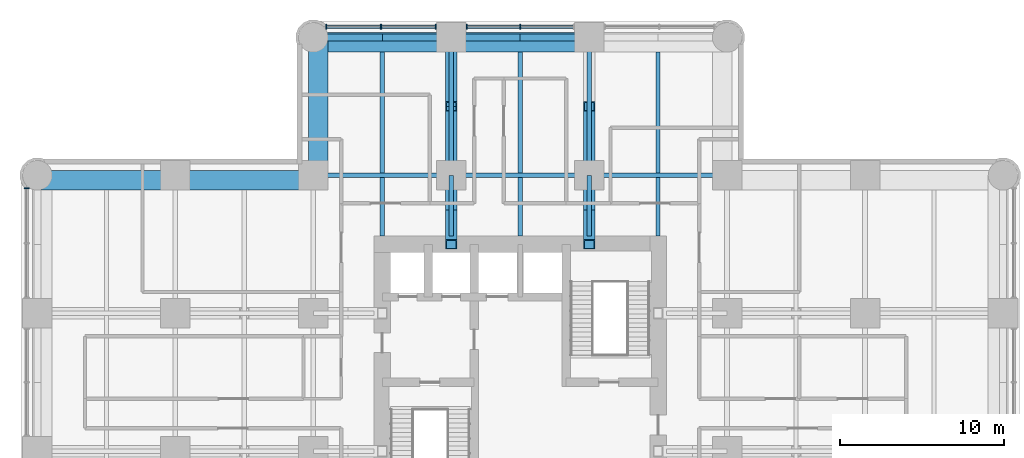
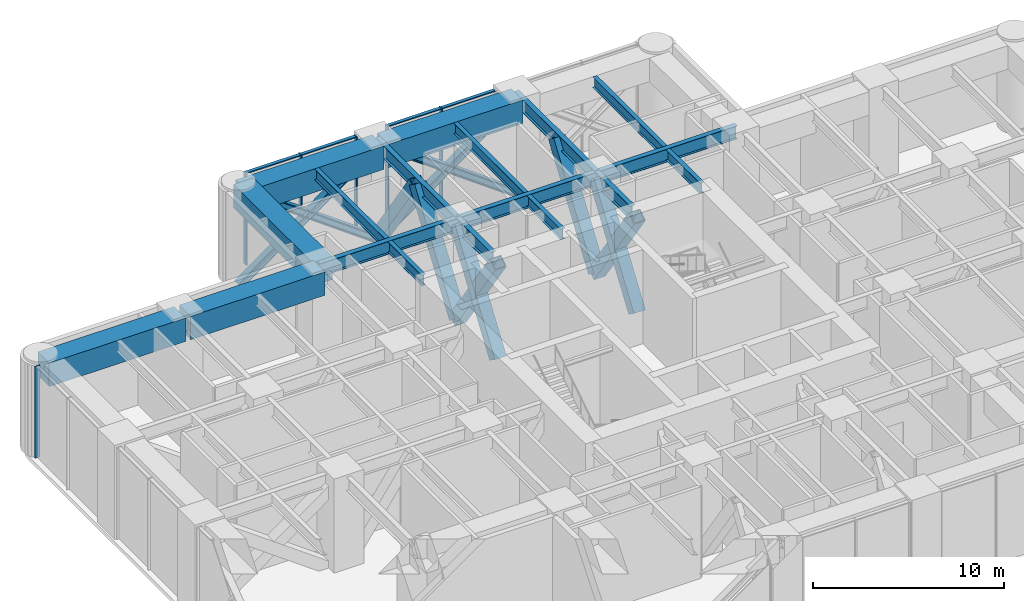
# One storey, part 6 of 13: 21 members, 18 beams, 2 elements without a shape of their own.
"""IFC4 building model written with IfcOpenShell, lengths in metres."""

from ifc_helpers import new_model, si_unit, direction, frame, origin, origin_2d, place, context, subcontext, project, spatial, rectangle, hollow_rectangle, i_section, extrude, material, material_profile, profile_set, type_object, element, aggregate, save


model = new_model("IFC4")

# Units and contexts
model_context = context("Model", 3, precision=1e-05, world=origin(), true_north=direction((0.0, 1.0)))
body_context = subcontext(model_context, "Body", "Model", "MODEL_VIEW")
ifc_project = project(units=[si_unit("LENGTHUNIT", "METRE"), si_unit("AREAUNIT", "SQUARE_METRE"), si_unit("VOLUMEUNIT", "CUBIC_METRE"), si_unit("PLANEANGLEUNIT", "RADIAN"), si_unit("MASSUNIT", "GRAM", prefix="KILO")], contexts=[model_context])

# Site, building, storey
site_placement = place(None, origin())
site = spatial("IfcSite", under=ifc_project, at=site_placement, CompositionType="ELEMENT")
building_placement = place(site_placement, origin())
building = spatial("IfcBuilding", under=site, at=building_placement, Name="Torre Alcanfor", CompositionType="ELEMENT")
storey_placement = place(building_placement, frame((0.0, 0.0, 177.300048828125)))
storey = spatial("IfcBuildingStorey", under=building, at=storey_placement, Name="L46", CompositionType="ELEMENT", Elevation=177.300048828125)

# Members
ifc_material_1 = material(Name="Steel ASTM A992 Grade 50", Category="steel")
ifc_material_profile_1 = material_profile(ifc_material_1, i_section(OverallWidth=0.411376953125, OverallDepth=0.434326171875, WebThickness=0.035888671875, FlangeThickness=0.057373046875, at=origin_2d()), Name="W14x311")
ifc_profile_set_1 = profile_set([ifc_material_profile_1], Name="Steel ASTM A992 Grade 50")
member_type_1 = type_object("IfcMemberType", Name="Belt truss diagonal W14x311", PredefinedType="BRACE", material=ifc_profile_set_1)
for number, where, z_axis, x_axis, name in (
    (1, (16.800048828125, 50.39990234375, -0.650146484375), (0.809144712888, 0.0, 0.587609422665), (0.0, 1.0, 0.0), "Belt truss L46 N arm panel 1 diagonal A"),
    (2, (25.199951171875, 50.39990234375, -0.650146484375), (-0.809144712888, 0.0, 0.587609422665), (0.0, -1.0, 0.0), "Belt truss L46 N arm panel 1 diagonal B"),
):
    element("IfcMember", number, at=place(storey_placement, frame(where, z_axis=z_axis, x_axis=x_axis)), inside=storey, type_object=member_type_1, Name=name, PredefinedType="BRACE", context=body_context, shape_type="SweptSolid", body=[
        extrude(i_section(OverallWidth=0.411376953125, OverallDepth=0.434326171875, WebThickness=0.035888671875, FlangeThickness=0.057373046875, at=origin_2d()), origin(), (0.0, 0.0, 1.0), 10.381103515625),
    ])
for number, where, z_axis, x_axis, name in (
    (3, (25.199951171875, 50.39990234375, -0.650146484375), (0.809152832909, 0.0, 0.587598241144), (0.0, 1.0, 0.0), "Belt truss L46 N arm panel 2 diagonal A"),
    (4, (33.60009765625, 50.39990234375, -0.650146484375), (-0.809152832909, 0.0, 0.587598241144), (0.0, -1.0, 0.0), "Belt truss L46 N arm panel 2 diagonal B"),
):
    element("IfcMember", number, at=place(storey_placement, frame(where, z_axis=z_axis, x_axis=x_axis)), inside=storey, type_object=member_type_1, Name=name, PredefinedType="BRACE", context=body_context, shape_type="SweptSolid", body=[
        extrude(i_section(OverallWidth=0.411376953125, OverallDepth=0.434326171875, WebThickness=0.035888671875, FlangeThickness=0.057373046875, at=origin_2d()), origin(), (0.0, 0.0, 1.0), 10.38134765625),
    ])

# Curtain wall, member
ifc_material_2 = material(Name="Aluminium and glass", Category="aluminium")
curtain_wall_type = type_object("IfcCurtainWallType", Name="CW-D plant floor louvre screen", PredefinedType="NOTDEFINED", material=ifc_material_2)
curtain_wall_1_placement = place(storey_placement, origin())
curtain_wall_1 = element("IfcCurtainWall", 5, at=curtain_wall_1_placement, inside=storey, type_object=curtain_wall_type, Name="Curtain wall CW-D L46 2", PredefinedType="NOTDEFINED")
ifc_material_3 = material(Name="Extruded aluminium", Category="aluminium")
ifc_material_profile_2 = material_profile(ifc_material_3, rectangle(XDim=0.300048828125, YDim=0.06494140625, at=origin_2d()), Name="CW-D mullion 65x300")
ifc_profile_set_2 = profile_set([ifc_material_profile_2], Name="Extruded aluminium")
member_type_2 = type_object("IfcMemberType", Name="CW-D mullion 65x300", PredefinedType="MULLION", material=ifc_profile_set_2)
member_1_placement = place(storey_placement, frame((-0.64990234375, 41.213134765625, 0.0), z_axis=(0.0, 0.0, 1.0), x_axis=(1.0, 0.0, 0.0)))
member_1 = element("IfcMember", 6, at=member_1_placement, type_object=member_type_2, Name="CW-D mullion 1.1", PredefinedType="MULLION", context=body_context, shape_type="SweptSolid", body=[
    extrude(rectangle(XDim=0.300048828125, YDim=0.06494140625, at=origin_2d()), origin(), (0.0, 0.0, 1.0), 5.849853515625),
])
aggregate(curtain_wall_1, [member_1])

# Curtain wall, members
curtain_wall_2_placement = place(storey_placement, origin())
curtain_wall_2 = element("IfcCurtainWall", 7, at=curtain_wall_2_placement, inside=storey, type_object=curtain_wall_type, Name="Curtain wall CW-D L46 11", PredefinedType="NOTDEFINED")
member_2_placement = place(storey_placement, frame((29.39990234375, 51.050048828125, 0.0), z_axis=(0.0, 0.0, 1.0), x_axis=(0.0, -1.0, 0.0)))
member_2 = element("IfcMember", 8, at=member_2_placement, type_object=member_type_2, Name="CW-D mullion 2.2", PredefinedType="MULLION", context=body_context, shape_type="SweptSolid", body=[
    extrude(rectangle(XDim=0.300048828125, YDim=0.06494140625, at=origin_2d()), origin(), (0.0, 0.0, 1.0), 5.849853515625),
])
member_3_placement = place(storey_placement, frame((26.137451171875, 51.050048828125, 0.0), z_axis=(0.0, 0.0, 1.0), x_axis=(0.0, -1.0, 0.0)))
member_3 = element("IfcMember", 9, at=member_3_placement, type_object=member_type_2, Name="CW-D mullion 2.3", PredefinedType="MULLION", context=body_context, shape_type="SweptSolid", body=[
    extrude(rectangle(XDim=0.300048828125, YDim=0.06494140625, at=origin_2d()), origin(), (0.0, 0.0, 1.0), 5.849853515625),
])
member_4_placement = place(storey_placement, frame((24.262451171875, 51.050048828125, 0.0), z_axis=(0.0, 0.0, 1.0), x_axis=(0.0, -1.0, 0.0)))
member_4 = element("IfcMember", 10, at=member_4_placement, type_object=member_type_2, Name="CW-D mullion 3.1", PredefinedType="MULLION", context=body_context, shape_type="SweptSolid", body=[
    extrude(rectangle(XDim=0.300048828125, YDim=0.06494140625, at=origin_2d()), origin(), (0.0, 0.0, 1.0), 5.849853515625),
])
member_5_placement = place(storey_placement, frame((20.924560546875, 51.050048828125, 0.0), z_axis=(0.0, 0.0, 1.0), x_axis=(0.0, -1.0, 0.0)))
member_5 = element("IfcMember", 11, at=member_5_placement, type_object=member_type_2, Name="CW-D mullion 3.2", PredefinedType="MULLION", context=body_context, shape_type="SweptSolid", body=[
    extrude(rectangle(XDim=0.300048828125, YDim=0.06494140625, at=origin_2d()), origin(), (0.0, 0.0, 1.0), 5.849853515625),
])
member_6_placement = place(storey_placement, frame((17.5869140625, 51.050048828125, 0.0), z_axis=(0.0, 0.0, 1.0), x_axis=(0.0, -1.0, 0.0)))
member_6 = element("IfcMember", 12, at=member_6_placement, type_object=member_type_2, Name="CW-D mullion 3.3", PredefinedType="MULLION", context=body_context, shape_type="SweptSolid", body=[
    extrude(rectangle(XDim=0.300048828125, YDim=0.06494140625, at=origin_2d()), origin(), (0.0, 0.0, 1.0), 5.849853515625),
])
ifc_material_4 = material(Name="Extruded aluminium", Category="aluminium")
ifc_material_profile_3 = material_profile(ifc_material_4, rectangle(XDim=0.199951171875, YDim=0.06494140625, at=origin_2d()), Name="CW-D transom 200x65")
ifc_profile_set_3 = profile_set([ifc_material_profile_3], Name="Extruded aluminium")
member_type_3 = type_object("IfcMemberType", Name="CW-D transom 65x200", PredefinedType="USERDEFINED", material=ifc_profile_set_3)
member_7_placement = place(storey_placement, frame((32.6298828125, 51.050048828125, 5.8173828125), z_axis=(-1.0, 0.0, 0.0), x_axis=(0.0, -1.0, 0.0)))
member_7 = element("IfcMember", 13, at=member_7_placement, type_object=member_type_3, Name="CW-D transom 2.1.2", ObjectType="TRANSOM", PredefinedType="USERDEFINED", context=body_context, shape_type="SweptSolid", body=[
    extrude(rectangle(XDim=0.199951171875, YDim=0.06494140625, at=origin_2d()), origin(), (0.0, 0.0, 1.0), 3.197265625),
])
member_8_placement = place(storey_placement, frame((29.367431640625, 51.050048828125, 5.8173828125), z_axis=(-1.0, 0.0, 0.0), x_axis=(0.0, -1.0, 0.0)))
member_8 = element("IfcMember", 14, at=member_8_placement, type_object=member_type_3, Name="CW-D transom 2.2.2", ObjectType="TRANSOM", PredefinedType="USERDEFINED", context=body_context, shape_type="SweptSolid", body=[
    extrude(rectangle(XDim=0.199951171875, YDim=0.06494140625, at=origin_2d()), origin(), (0.0, 0.0, 1.0), 3.197509765625),
])
member_9_placement = place(storey_placement, frame((24.22998046875, 51.050048828125, 5.8173828125), z_axis=(-1.0, 0.0, 0.0), x_axis=(0.0, -1.0, 0.0)))
member_9 = element("IfcMember", 15, at=member_9_placement, type_object=member_type_3, Name="CW-D transom 3.1.2", ObjectType="TRANSOM", PredefinedType="USERDEFINED", context=body_context, shape_type="SweptSolid", body=[
    extrude(rectangle(XDim=0.199951171875, YDim=0.06494140625, at=origin_2d()), origin(), (0.0, 0.0, 1.0), 3.27294921875),
])
member_10_placement = place(storey_placement, frame((20.89208984375, 51.050048828125, 5.8173828125), z_axis=(-1.0, 0.0, 0.0), x_axis=(0.0, -1.0, 0.0)))
member_10 = element("IfcMember", 16, at=member_10_placement, type_object=member_type_3, Name="CW-D transom 3.2.2", ObjectType="TRANSOM", PredefinedType="USERDEFINED", context=body_context, shape_type="SweptSolid", body=[
    extrude(rectangle(XDim=0.199951171875, YDim=0.06494140625, at=origin_2d()), origin(), (0.0, 0.0, 1.0), 3.272705078125),
])
aggregate(curtain_wall_2, [member_2, member_3, member_7, member_8, member_4, member_5, member_6, member_9, member_10])

# Beams
ifc_material_5 = material(Name="Steel ASTM A992 Grade 50", Category="steel")
ifc_material_profile_4 = material_profile(ifc_material_5, i_section(OverallWidth=0.2919921875, OverallDepth=0.8408203125, WebThickness=0.0146484375, FlangeThickness=0.021728515625, at=origin_2d()), Name="W33x130")
ifc_profile_set_4 = profile_set([ifc_material_profile_4], Name="Steel ASTM A992 Grade 50")
beam_type_1 = type_object("IfcBeamType", Name="Girder W33x130", PredefinedType="BEAM", material=ifc_profile_set_4)
beam_1_placement = place(storey_placement, frame((16.800048828125, 42.0, 5.4296875), z_axis=(1.0, 0.0, 0.0), x_axis=(0.0, 1.0, 0.0)))
element("IfcBeam", 17, at=beam_1_placement, inside=storey, type_object=beam_type_1, Name="Beam 3H-4H under L47", PredefinedType="BEAM", context=body_context, shape_type="SweptSolid", body=[
    extrude(i_section(OverallWidth=0.2919921875, OverallDepth=0.8408203125, WebThickness=0.0146484375, FlangeThickness=0.021728515625, at=origin_2d()), origin(), (0.0, 0.0, 1.0), 8.39990234375),
])
beam_2_placement = place(storey_placement, frame((25.199951171875, 42.0, 5.4296875), z_axis=(1.0, 0.0, 0.0), x_axis=(0.0, 1.0, 0.0)))
element("IfcBeam", 18, at=beam_2_placement, inside=storey, type_object=beam_type_1, Name="Beam 4H-5H under L47", PredefinedType="BEAM", context=body_context, shape_type="SweptSolid", body=[
    extrude(i_section(OverallWidth=0.2919921875, OverallDepth=0.8408203125, WebThickness=0.0146484375, FlangeThickness=0.021728515625, at=origin_2d()), origin(), (0.0, 0.0, 1.0), 8.400146484375),
])
for number, where, z_axis, x_axis, name in (
    (19, (33.60009765625, 42.0, 5.4296875), (1.0, 0.0, 0.0), (0.0, 1.0, 0.0), "Beam 5H-6H under L47"),
    (20, (25.199951171875, 42.0, 5.4296875), (0.0, 1.0, 0.0), (-1.0, 0.0, 0.0), "Beam 4H-4J under L47"),
    (21, (33.60009765625, 42.0, 5.4296875), (0.0, 1.0, 0.0), (-1.0, 0.0, 0.0), "Beam 5H-5J under L47"),
):
    element("IfcBeam", number, at=place(storey_placement, frame(where, z_axis=z_axis, x_axis=x_axis)), inside=storey, type_object=beam_type_1, Name=name, PredefinedType="BEAM", context=body_context, shape_type="SweptSolid", body=[
        extrude(i_section(OverallWidth=0.2919921875, OverallDepth=0.8408203125, WebThickness=0.0146484375, FlangeThickness=0.021728515625, at=origin_2d()), origin(), (0.0, 0.0, 1.0), 8.39990234375),
    ])
ifc_material_6 = material(Name="Steel ASTM A992 Grade 50", Category="steel")
ifc_material_profile_5 = material_profile(ifc_material_6, i_section(OverallWidth=0.2919921875, OverallDepth=0.8408203125, WebThickness=0.0146484375, FlangeThickness=0.021728515625, at=origin_2d()), Name="W33x130")
ifc_profile_set_5 = profile_set([ifc_material_profile_5], Name="Steel ASTM A992 Grade 50")
beam_type_2 = type_object("IfcBeamType", Name="Girder, part bay W33x130", PredefinedType="BEAM", material=ifc_profile_set_5)
for number, where, z_axis, x_axis, name in (
    (22, (25.199951171875, 42.0, 5.4296875), (0.0, -1.0, 0.0), (1.0, 0.0, 0.0), "Beam 4H-438_3 under L47"),
    (23, (33.60009765625, 42.0, 5.4296875), (0.0, -1.0, 0.0), (1.0, 0.0, 0.0), "Beam 5H-538_3 under L47"),
):
    element("IfcBeam", number, at=place(storey_placement, frame(where, z_axis=z_axis, x_axis=x_axis)), inside=storey, type_object=beam_type_2, Name=name, PredefinedType="BEAM", context=body_context, shape_type="SweptSolid", body=[
        extrude(i_section(OverallWidth=0.2919921875, OverallDepth=0.8408203125, WebThickness=0.0146484375, FlangeThickness=0.021728515625, at=origin_2d()), origin(), (0.0, 0.0, 1.0), 3.699951171875),
    ])

# Members
ifc_material_7 = material(Name="Steel ASTM A572 Grade 50 plate", Category="steel")
ifc_material_profile_6 = material_profile(ifc_material_7, hollow_rectangle(XDim=0.699951171875, YDim=0.699951171875, WallThickness=0.050048828125, at=origin_2d()), Name="BOX 700x700x50")
ifc_profile_set_6 = profile_set([ifc_material_profile_6], Name="Steel ASTM A572 Grade 50 plate")
member_type_4 = type_object("IfcMemberType", Name="Outrigger truss diagonal BOx700x700x50", PredefinedType="BRACE", material=ifc_profile_set_6)
for number, where, z_axis, x_axis, name in (
    (24, (25.199951171875, 37.800048828125, -0.650146484375), (0.0, 0.567091101321, 0.823655075139), (-1.0, 0.0, 0.0), "Outrigger truss L46 N arm grid 25.2 panel 1 diagonal A"),
    (25, (25.199951171875, 42.0, -0.650146484375), (0.0, -0.567091101321, 0.823655075139), (1.0, 0.0, 0.0), "Outrigger truss L46 N arm grid 25.2 panel 1 diagonal B"),
    (26, (25.199951171875, 42.0, -0.650146484375), (0.0, 0.567091101321, 0.823655075139), (-1.0, 0.0, 0.0), "Outrigger truss L46 N arm grid 25.2 panel 2 diagonal A"),
    (27, (25.199951171875, 50.39990234375, -0.650146484375), (0.0, -0.567091101321, 0.823655075139), (1.0, 0.0, 0.0), "Outrigger truss L46 N arm grid 25.2 panel 2 diagonal B"),
    (28, (33.60009765625, 37.800048828125, -0.650146484375), (0.0, 0.567091101321, 0.823655075139), (-1.0, 0.0, 0.0), "Outrigger truss L46 N arm grid 33.6 panel 1 diagonal A"),
    (29, (33.60009765625, 42.0, -0.650146484375), (0.0, -0.567091101321, 0.823655075139), (1.0, 0.0, 0.0), "Outrigger truss L46 N arm grid 33.6 panel 1 diagonal B"),
    (30, (33.60009765625, 42.0, -0.650146484375), (0.0, 0.567091101321, 0.823655075139), (-1.0, 0.0, 0.0), "Outrigger truss L46 N arm grid 33.6 panel 2 diagonal A"),
):
    element("IfcMember", number, at=place(storey_placement, frame(where, z_axis=z_axis, x_axis=x_axis)), inside=storey, type_object=member_type_4, Name=name, PredefinedType="BRACE", context=body_context, shape_type="SweptSolid", body=[
        extrude(hollow_rectangle(XDim=0.699951171875, YDim=0.699951171875, WallThickness=0.050048828125, at=origin_2d()), origin(), (0.0, 0.0, 1.0), 7.40625),
    ])

# Beams
ifc_material_8 = material(Name="Concrete f'c 70 MPa", Category="concrete")
ifc_material_profile_7 = material_profile(ifc_material_8, rectangle(XDim=1.199951171875, YDim=1.5, at=origin_2d()), Name="1200x1500")
ifc_profile_set_7 = profile_set([ifc_material_profile_7], Name="Concrete f'c 70 MPa")
beam_type_3 = type_object("IfcBeamType", Name="RC perimeter beam 1200x1500", PredefinedType="BEAM", material=ifc_profile_set_7)
beam_3_placement = place(storey_placement, frame((0.0, 41.699951171875, 5.099853515625), z_axis=(1.0, 0.0, 0.0), x_axis=(0.0, 1.0, 0.0)))
element("IfcBeam", 31, at=beam_3_placement, inside=storey, type_object=beam_type_3, Name="Beam 1H-2H under L47", PredefinedType="BEAM", context=body_context, shape_type="SweptSolid", body=[
    extrude(rectangle(XDim=1.199951171875, YDim=1.5, at=origin_2d()), origin(), (0.0, 0.0, 1.0), 8.25390625),
])
beam_4_placement = place(storey_placement, frame((8.5458984375, 41.699951171875, 5.099853515625), z_axis=(1.0, 0.0, 0.0), x_axis=(0.0, 1.0, 0.0)))
element("IfcBeam", 32, at=beam_4_placement, inside=storey, type_object=beam_type_3, Name="Beam 2H-3H under L47", PredefinedType="BEAM", context=body_context, shape_type="SweptSolid", body=[
    extrude(rectangle(XDim=1.199951171875, YDim=1.5, at=origin_2d()), origin(), (0.0, 0.0, 1.0), 8.108154296875),
])
beam_5_placement = place(storey_placement, frame((16.800048828125, 50.10009765625, 5.099853515625), z_axis=(1.0, 0.0, 0.0), x_axis=(0.0, 1.0, 0.0)))
element("IfcBeam", 33, at=beam_5_placement, inside=storey, type_object=beam_type_3, Name="Beam 3J-4J under L47", PredefinedType="BEAM", context=body_context, shape_type="SweptSolid", body=[
    extrude(rectangle(XDim=1.199951171875, YDim=1.5, at=origin_2d()), origin(), (0.0, 0.0, 1.0), 8.25390625),
])
beam_6_placement = place(storey_placement, frame((25.345947265625, 50.10009765625, 5.099853515625), z_axis=(1.0, 0.0, 0.0), x_axis=(0.0, 1.0, 0.0)))
element("IfcBeam", 34, at=beam_6_placement, inside=storey, type_object=beam_type_3, Name="Beam 4J-5J under L47", PredefinedType="BEAM", context=body_context, shape_type="SweptSolid", body=[
    extrude(rectangle(XDim=1.199951171875, YDim=1.5, at=origin_2d()), origin(), (0.0, 0.0, 1.0), 8.108154296875),
])
beam_7_placement = place(storey_placement, frame((17.10009765625, 42.14599609375, 5.099853515625), z_axis=(0.0, 1.0, 0.0), x_axis=(-1.0, 0.0, 0.0)))
element("IfcBeam", 35, at=beam_7_placement, inside=storey, type_object=beam_type_3, Name="Beam 3H-3J under L47", PredefinedType="BEAM", context=body_context, shape_type="SweptSolid", body=[
    extrude(rectangle(XDim=1.199951171875, YDim=1.5, at=origin_2d()), origin(), (0.0, 0.0, 1.0), 8.25390625),
])
ifc_material_9 = material(Name="Steel ASTM A992 Grade 50", Category="steel")
ifc_material_profile_8 = material_profile(ifc_material_9, i_section(OverallWidth=0.25390625, OverallDepth=0.683349609375, WebThickness=0.012451171875, FlangeThickness=0.01904296875, at=origin_2d()), Name="W27x94")
ifc_profile_set_8 = profile_set([ifc_material_profile_8], Name="Steel ASTM A992 Grade 50")
beam_type_4 = type_object("IfcBeamType", Name="Secondary beam W27x94", PredefinedType="BEAM", material=ifc_profile_set_8)
for number, where, z_axis, x_axis, name in (
    (36, (21.0, 42.14599609375, 5.50830078125), (0.0, 1.0, 0.0), (-1.0, 0.0, 0.0), "Beam 21H-21J under L47"),
    (37, (29.39990234375, 42.14599609375, 5.50830078125), (0.0, 1.0, 0.0), (-1.0, 0.0, 0.0), "Beam 29_4H-29_4J under L47"),
    (38, (37.800048828125, 42.14599609375, 5.50830078125), (0.0, 1.0, 0.0), (-1.0, 0.0, 0.0), "Beam 37_8H-37_8J under L47"),
):
    element("IfcBeam", number, at=place(storey_placement, frame(where, z_axis=z_axis, x_axis=x_axis)), inside=storey, type_object=beam_type_4, Name=name, PredefinedType="BEAM", context=body_context, shape_type="SweptSolid", body=[
        extrude(i_section(OverallWidth=0.25390625, OverallDepth=0.683349609375, WebThickness=0.012451171875, FlangeThickness=0.01904296875, at=origin_2d()), origin(), (0.0, 0.0, 1.0), 7.35400390625),
    ])
ifc_material_10 = material(Name="Steel ASTM A992 Grade 50", Category="steel")
ifc_material_profile_9 = material_profile(ifc_material_10, i_section(OverallWidth=0.25390625, OverallDepth=0.683349609375, WebThickness=0.012451171875, FlangeThickness=0.01904296875, at=origin_2d()), Name="W27x94")
ifc_profile_set_9 = profile_set([ifc_material_profile_9], Name="Steel ASTM A992 Grade 50")
beam_type_5 = type_object("IfcBeamType", Name="Secondary beam, part bay W27x94", PredefinedType="BEAM", material=ifc_profile_set_9)
for number, where, z_axis, x_axis, name in (
    (39, (21.0, 38.300048828125, 5.50830078125), (0.0, 1.0, 0.0), (-1.0, 0.0, 0.0), "Beam 2138_3-21H under L47"),
    (40, (29.39990234375, 38.300048828125, 5.50830078125), (0.0, 1.0, 0.0), (-1.0, 0.0, 0.0), "Beam 29_438_3-29_4H under L47"),
    (41, (37.800048828125, 38.300048828125, 5.50830078125), (0.0, 1.0, 0.0), (-1.0, 0.0, 0.0), "Beam 37_838_3-37_8H under L47"),
):
    element("IfcBeam", number, at=place(storey_placement, frame(where, z_axis=z_axis, x_axis=x_axis)), inside=storey, type_object=beam_type_5, Name=name, PredefinedType="BEAM", context=body_context, shape_type="SweptSolid", body=[
        extrude(i_section(OverallWidth=0.25390625, OverallDepth=0.683349609375, WebThickness=0.012451171875, FlangeThickness=0.01904296875, at=origin_2d()), origin(), (0.0, 0.0, 1.0), 3.553955078125),
    ])

save(model, "model.ifc")
